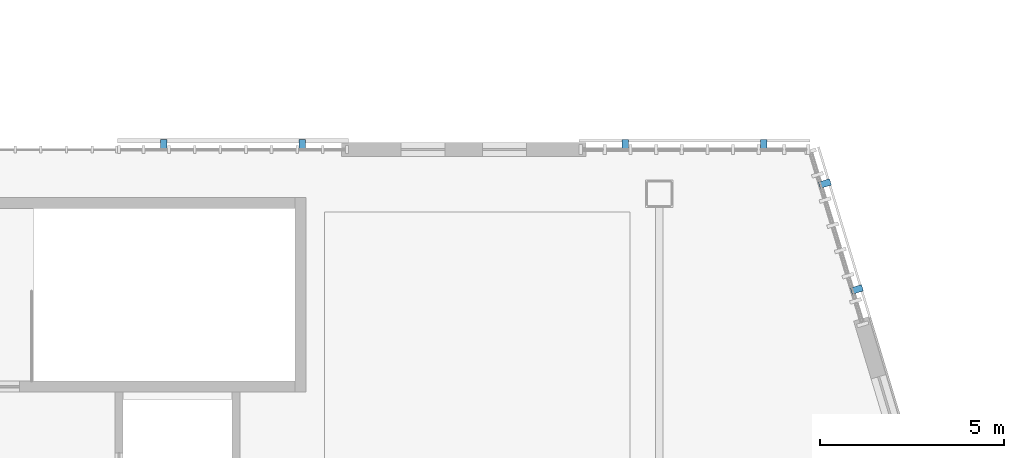
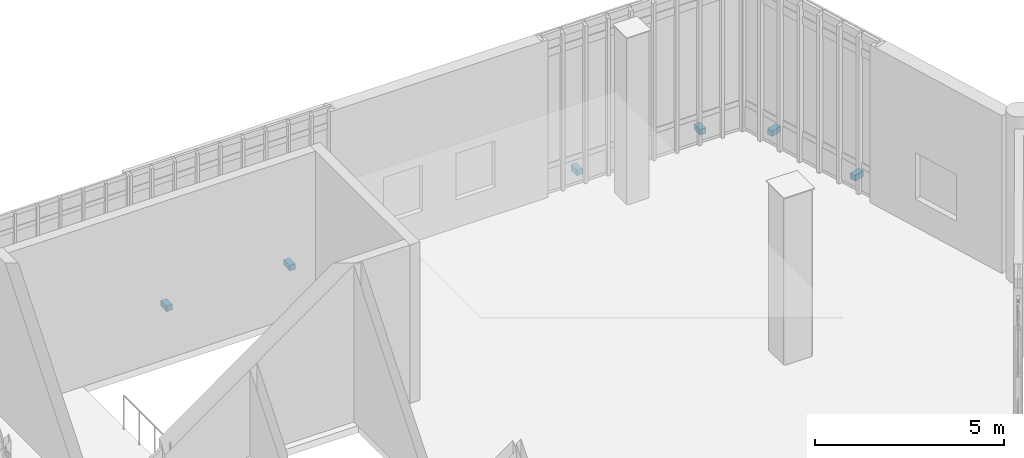
# One storey, part 128 of 135: 6 discrete accessories.
"""IFC4 building model written with IfcOpenShell, lengths in metres."""

from ifc_helpers import new_model, si_unit, direction, frame, origin, origin_2d, place, context, subcontext, project, spatial, rectangle, extrude, material, layer, layer_set, type_object, element, save


model = new_model("IFC4")

# Units and contexts
model_context = context("Model", 3, precision=1e-05, world=origin(), true_north=direction((0.0, 1.0)))
body_context = subcontext(model_context, "Body", "Model", "MODEL_VIEW")
ifc_project = project(units=[si_unit("LENGTHUNIT", "METRE"), si_unit("AREAUNIT", "SQUARE_METRE"), si_unit("VOLUMEUNIT", "CUBIC_METRE"), si_unit("PLANEANGLEUNIT", "RADIAN"), si_unit("MASSUNIT", "GRAM", prefix="KILO")], contexts=[model_context])

# Site, building, storey
site_placement = place(None, origin())
site = spatial("IfcSite", under=ifc_project, at=site_placement, CompositionType="ELEMENT")
building_placement = place(site_placement, origin())
building = spatial("IfcBuilding", under=site, at=building_placement, Name="Larkvane Passage Sports Hall", CompositionType="ELEMENT")
storey_placement = place(building_placement, frame((0.0, 0.0, 16.800048828125)))
storey = spatial("IfcBuildingStorey", under=building, at=storey_placement, Name="L03", CompositionType="ELEMENT", Elevation=16.800048828125)

# Discrete accessories
ifc_material = material(Name="Steel S355JR", Category="steel")
ifc_layer = layer(ifc_material, 0.179931640625)
ifc_layer_set = layer_set([ifc_layer], Name="Steel S355JR")
discrete_accessory_type = type_object("IfcDiscreteAccessoryType", Name="ACC-BRACKET-STL", PredefinedType="BRACKET", material=ifc_layer_set)
for number, where, z_axis, x_axis, name in (
    (1, (132.1298828125, 85.320068359375, 0.259765625), (0.0, 0.0, 1.0), (1.0, 0.0, 0.0), "Veil outrigger bracket L03-072-1"),
    (2, (135.89501953125, 85.320068359375, 0.259765625), (0.0, 0.0, 1.0), (1.0, 0.0, 0.0), "Veil outrigger bracket L03-072-2"),
    (3, (144.679931640625, 85.320068359375, 0.259765625), (0.0, 0.0, 1.0), (1.0, 0.0, 0.0), "Veil outrigger bracket L03-073-1"),
    (4, (148.445068359375, 85.320068359375, 0.259765625), (0.0, 0.0, 1.0), (1.0, 0.0, 0.0), "Veil outrigger bracket L03-073-2"),
    (5, (150.10498046875, 84.274658203125, 0.259765625), (0.0, 0.0, 1.0), (0.289177016584, -0.957275641119, 0.0), "Veil outrigger bracket L03-074-1"),
    (6, (150.974853515625, 81.394775390625, 0.259765625), (0.0, 0.0, 1.0), (0.289177016584, -0.957275641119, 0.0), "Veil outrigger bracket L03-074-2"),
):
    element("IfcDiscreteAccessory", number, at=place(storey_placement, frame(where, z_axis=z_axis, x_axis=x_axis)), inside=storey, type_object=discrete_accessory_type, Name=name, PredefinedType="BRACKET", context=body_context, shape_type="SweptSolid", body=[
        extrude(rectangle(XDim=0.179931640625, YDim=0.320068359375, at=origin_2d()), origin(), (0.0, 0.0, 1.0), 0.179931640625),
    ])

save(model, "model.ifc")
